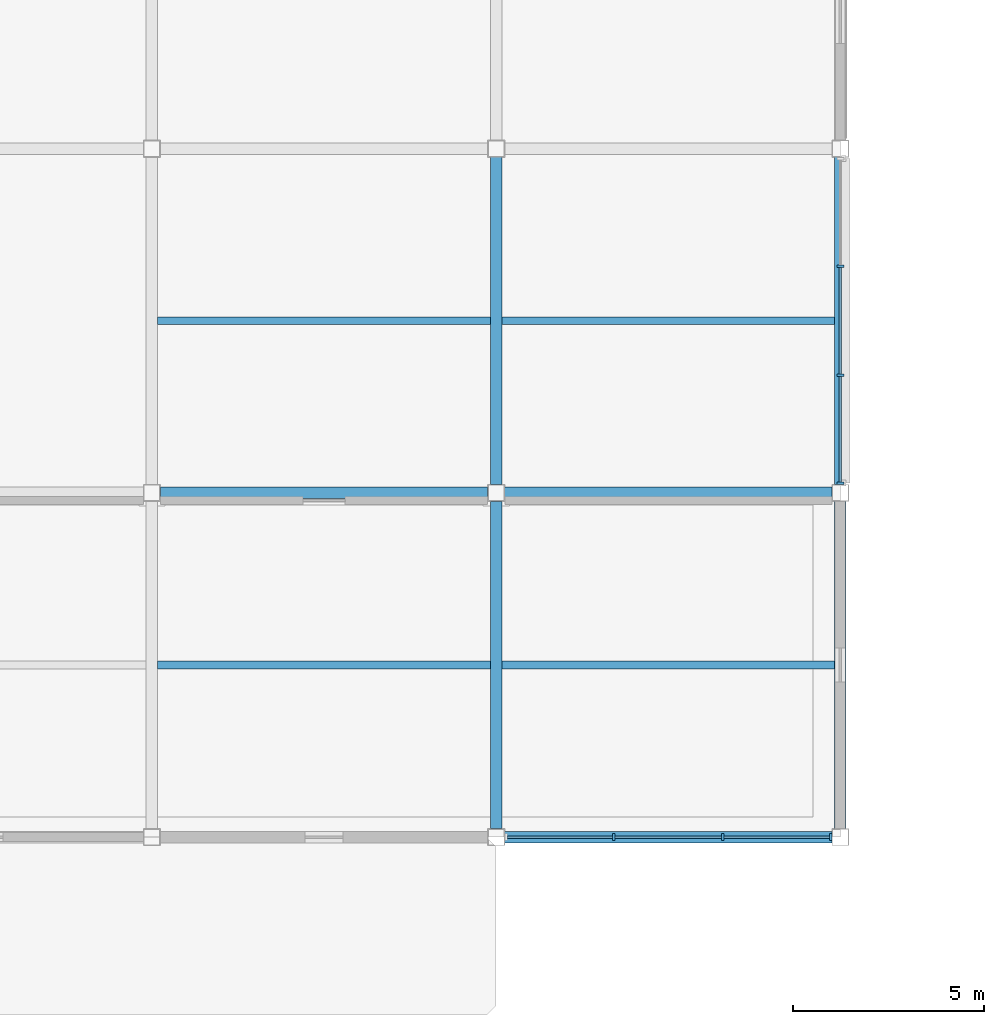
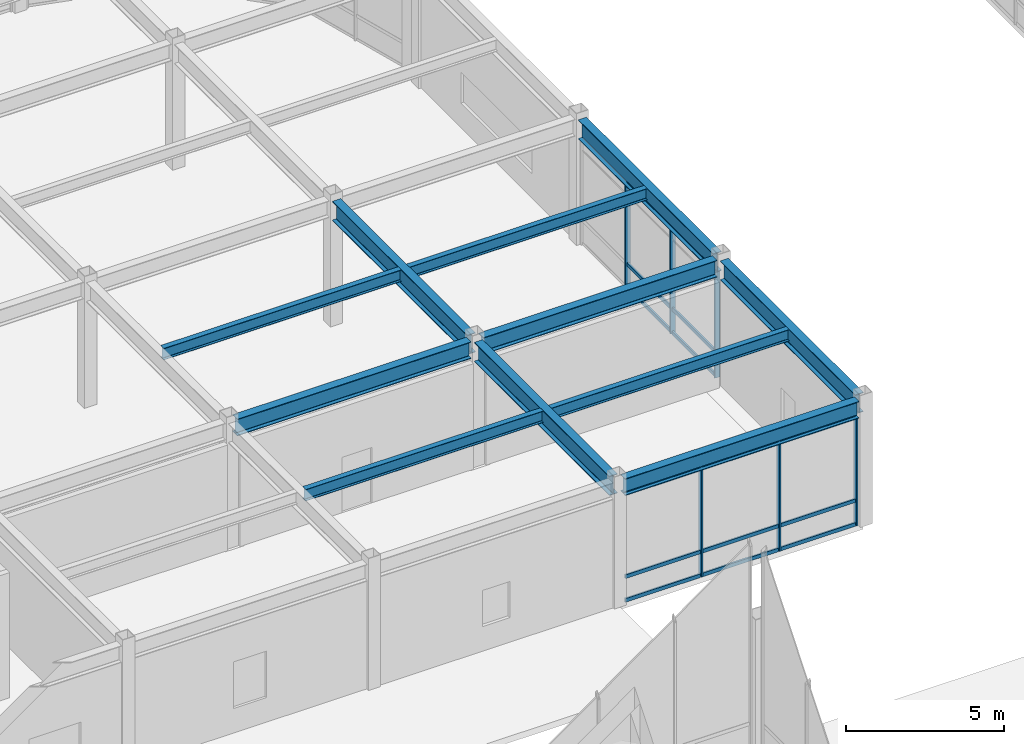
# One storey, part 50 of 123: 21 members, 11 beams, 2 elements without a shape of their own.
"""IFC4 building model written with IfcOpenShell, lengths in metres."""

import ifcopenshell
import ifcopenshell.guid

model = None  # the IFC model being written
_history = None  # IfcOwnerHistory: only IFC2X3 demands one
_inside = {}  # id of a spatial element -> (the spatial element, [elements in it])
_under = {}  # id of a project, library or spatial element -> (it, [spatial elements below it])
_declared = {}  # id of a project -> (the project, [libraries it declares])
_typed = {}  # id of a type object -> (the type object, [elements of that type])
_made_of = {}  # id of a material, layer set ... -> (it, [elements and type objects made of it])


def new_model(schema):
    """Start an empty IFC model of exactly this schema.

    Asked for "IFC4X3", IfcOpenShell would pick the latest addendum, in which some entities
    have other attributes; the version numbers below select the first issue.
    IFC2X3 requires an IfcOwnerHistory on every rooted entity: one is made here for all.
    """
    global model, _history
    if schema == "IFC4X3":
        model = ifcopenshell.file(schema_version=(4, 3, 0, 0))
    else:
        model = ifcopenshell.file(schema=schema)
    _inside.clear()
    _under.clear()
    _declared.clear()
    _typed.clear()
    _made_of.clear()
    _history = None
    if model.schema == "IFC2X3":
        org = make("IfcOrganization", Name="unknown")
        user = make(
            "IfcPersonAndOrganization",
            ThePerson=make("IfcPerson", FamilyName="unknown"),
            TheOrganization=org,
        )
        app = make(
            "IfcApplication",
            ApplicationDeveloper=org,
            Version="unknown",
            ApplicationFullName="unknown",
            ApplicationIdentifier="unknown",
        )
        _history = make(
            "IfcOwnerHistory",
            OwningUser=user,
            OwningApplication=app,
            ChangeAction="ADDED",
            CreationDate=0,
        )
    return model


def make(cls, **values):
    """One entity of the class cls with the attributes given. An attribute that is None is left unset."""
    return model.create_entity(
        cls, **{name: value for name, value in values.items() if value is not None}
    )


def rooted(cls, **values):
    """An entity with a GlobalId (a new one), such as an element, a storey or a relation."""
    return make(cls, GlobalId=ifcopenshell.guid.new(), OwnerHistory=_history, **values)


def si_unit(unit_type, name, prefix=None):
    """IfcSIUnit, for example si_unit("LENGTHUNIT", "METRE", prefix="MILLI")."""
    return make("IfcSIUnit", UnitType=unit_type, Prefix=prefix, Name=name)


def assignment(units):
    """IfcUnitAssignment: the units of a project."""
    return None if units is None else make("IfcUnitAssignment", Units=units)


def point(xyz):
    """IfcCartesianPoint."""
    return None if xyz is None else make("IfcCartesianPoint", Coordinates=xyz)


def direction(xyz):
    """IfcDirection."""
    return None if xyz is None else make("IfcDirection", DirectionRatios=xyz)


def frame(location, z_axis=None, x_axis=None):
    """IfcAxis2Placement3D, a coordinate frame: its origin and axes. An axis left out is left unset."""
    return make(
        "IfcAxis2Placement3D",
        Location=point(location),
        Axis=direction(z_axis),
        RefDirection=direction(x_axis),
    )


def frame_2d(location, x_axis=None):
    """IfcAxis2Placement2D, a coordinate frame in the plane: its origin and x axis."""
    return make(
        "IfcAxis2Placement2D", Location=point(location), RefDirection=direction(x_axis)
    )


def origin():
    """The frame at (0, 0, 0) with its axes left unset."""
    return frame((0.0, 0.0, 0.0))


def origin_2d():
    """The frame at (0, 0) in the plane with its x axis left unset."""
    return frame_2d((0.0, 0.0))


def place(relative_to, where):
    """IfcLocalPlacement: puts the frame where relative to a parent placement (None: the world)."""
    return make(
        "IfcLocalPlacement", PlacementRelTo=relative_to, RelativePlacement=where
    )


def context(
    kind, dimensions, precision=None, world=None, true_north=None, identifier=None
):
    """IfcGeometricRepresentationContext, for example the 3D "Model" context."""
    return make(
        "IfcGeometricRepresentationContext",
        ContextIdentifier=identifier,
        ContextType=kind,
        CoordinateSpaceDimension=dimensions,
        Precision=precision,
        WorldCoordinateSystem=world,
        TrueNorth=true_north,
    )


def subcontext(parent, identifier, kind, view, scale=None):
    """IfcGeometricRepresentationSubContext, for example "Body" below "Model"."""
    return make(
        "IfcGeometricRepresentationSubContext",
        ContextIdentifier=identifier,
        ContextType=kind,
        ParentContext=parent,
        TargetScale=scale,
        TargetView=view,
    )


def project(units=None, contexts=None):
    """IfcProject with its units and contexts."""
    return rooted(
        "IfcProject",
        Name="project",
        RepresentationContexts=contexts,
        UnitsInContext=assignment(units),
    )


def spatial(cls, under=None, at=None, **own):
    """A site, building, storey or space (cls), placed at a placement, below another one or the project."""
    s = rooted(cls, ObjectPlacement=at, **own)
    if under is not None:
        _under.setdefault(under.id(), (under, []))[1].append(s)
    return s


def profile(cls, at=None, kind="AREA", **sizes):
    """A parametric profile (cls). Its sizes go by their IFC names, for example OverallWidth=200.0."""
    return make(cls, ProfileType=kind, Position=at, **sizes)


def rectangle(**sizes):
    """IfcRectangleProfileDef."""
    return profile("IfcRectangleProfileDef", **sizes)


def i_section(**sizes):
    """IfcIShapeProfileDef."""
    return profile("IfcIShapeProfileDef", **sizes)


def extrude(swept, where, along, depth):
    """IfcExtrudedAreaSolid: the profile swept, set in the frame where, extruded along a direction by depth."""
    return make(
        "IfcExtrudedAreaSolid",
        SweptArea=swept,
        Position=where,
        ExtrudedDirection=direction(along),
        Depth=depth,
    )


def shape(context_of_items, identifier, shape_type, items):
    """IfcShapeRepresentation: the items that make up one representation, for example the "Body"."""
    return make(
        "IfcShapeRepresentation",
        ContextOfItems=context_of_items,
        RepresentationIdentifier=identifier,
        RepresentationType=shape_type,
        Items=items,
    )


def material(Name=None, Category=None):
    """IfcMaterial."""
    return make("IfcMaterial", Name=Name, Category=Category)


def material_profile(
    of_material, cross_section, Name=None, Category=None, Priority=None
):
    """IfcMaterialProfile: a cross section and its material."""
    return make(
        "IfcMaterialProfile",
        Name=Name,
        Material=of_material,
        Profile=cross_section,
        Priority=Priority,
        Category=Category,
    )


def profile_set(profiles, Name=None, composite=None):
    """IfcMaterialProfileSet."""
    return make(
        "IfcMaterialProfileSet",
        Name=Name,
        MaterialProfiles=profiles,
        CompositeProfile=composite,
    )


def made_of(thing, what):
    """Note that an element or type object is made of a material, layer set ...; save() writes the relation."""
    if what is not None:
        _made_of.setdefault(what.id(), (what, []))[1].append(thing)
    return thing


def type_object(cls, material=None, **own):
    """A type object (cls), such as IfcWallType, which elements share."""
    return made_of(rooted(cls, **own), material)


def element(
    cls,
    number,
    at=None,
    inside=None,
    cuts=None,
    type_object=None,
    material=None,
    context=None,
    identifier="Body",
    shape_type=None,
    held_by="IfcProductDefinitionShape",
    body=None,
    shapes=None,
    **own,
):
    """One element of the class cls, such as IfcWall. Its Tag is "e" and its number.

    at: its placement. inside: the storey or other place that contains it. cuts: it is an
    opening in that element (IfcRelVoidsElement). A single representation is given by context,
    identifier, shape_type and body (its items); several are given by shapes. held_by: the class
    of the entity that holds the representations. save() writes the other relations.
    """
    e = rooted(cls, Tag="e%d" % number, ObjectPlacement=at, **own)
    if body is not None:
        shapes = [shape(context, identifier, shape_type, body)]
    if shapes is not None:
        e.Representation = make(held_by, Representations=shapes)
    if inside is not None:
        _inside.setdefault(inside.id(), (inside, []))[1].append(e)
    if cuts is not None:
        rooted(
            "IfcRelVoidsElement", RelatingBuildingElement=cuts, RelatedOpeningElement=e
        )
    if type_object is not None:
        _typed.setdefault(type_object.id(), (type_object, []))[1].append(e)
    return made_of(e, material)


def aggregate(whole, parts):
    """IfcRelAggregates: a whole, such as a stair, and the parts it consists of."""
    return rooted("IfcRelAggregates", RelatingObject=whole, RelatedObjects=parts)


def save(model, path):
    """Write the relations noted so far, then the file.

    IfcRelAggregates (storeys below a building ...), IfcRelContainedInSpatialStructure (elements
    in a storey), IfcRelDefinesByType, IfcRelAssociatesMaterial and IfcRelDeclares: one each for
    every whole, place, type object, material and project.
    """
    for whole, parts in _under.values():
        aggregate(whole, parts)
    for where, things in _inside.values():
        rooted(
            "IfcRelContainedInSpatialStructure",
            RelatedElements=things,
            RelatingStructure=where,
        )
    for kind, things in _typed.values():
        rooted("IfcRelDefinesByType", RelatedObjects=things, RelatingType=kind)
    for what, things in _made_of.values():
        rooted("IfcRelAssociatesMaterial", RelatedObjects=things, RelatingMaterial=what)
    for by, libraries in _declared.values():
        rooted("IfcRelDeclares", RelatingContext=by, RelatedDefinitions=libraries)
    model.write(path)


model = new_model("IFC4")

# Units and contexts
model_context = context("Model", 3, precision=1e-05, world=origin(), true_north=direction((0.0, 1.0)))
body_context = subcontext(model_context, "Body", "Model", "MODEL_VIEW")
ifc_project = project(units=[si_unit("LENGTHUNIT", "METRE"), si_unit("AREAUNIT", "SQUARE_METRE"), si_unit("VOLUMEUNIT", "CUBIC_METRE"), si_unit("PLANEANGLEUNIT", "RADIAN"), si_unit("MASSUNIT", "GRAM", prefix="KILO")], contexts=[model_context])

# Site, building, storey
site_placement = place(None, origin())
site = spatial("IfcSite", under=ifc_project, at=site_placement, CompositionType="ELEMENT")
building_placement = place(site_placement, origin())
building = spatial("IfcBuilding", under=site, at=building_placement, Name="Suzunagisa Mobility Hub", CompositionType="ELEMENT")
storey_placement = place(building_placement, origin())
storey = spatial("IfcBuildingStorey", under=building, at=storey_placement, Name="L00", CompositionType="ELEMENT", Elevation=0.0)

# Curtain wall, members
ifc_material_1 = material(Name="Thermally Broken Anodized Aluminum and Low-E Glazing", Category="aluminium")
curtain_wall_type_1 = type_object("IfcCurtainWallType", Name="Unitised Curtain Wall CW-32 8500x4200", PredefinedType="USERDEFINED", material=ifc_material_1)
curtain_wall_1_placement = place(storey_placement, origin())
curtain_wall_1 = element("IfcCurtainWall", 1, at=curtain_wall_1_placement, inside=storey, type_object=curtain_wall_type_1, Name="L00 Unitised Curtain Wall CW-92", ObjectType="UNITISED CURTAIN WALL", PredefinedType="USERDEFINED")
ifc_material_2 = material(Name="Anodized Aluminum 6063-T6", Category="aluminium")
ifc_material_profile_1 = material_profile(ifc_material_2, rectangle(XDim=0.06494140625, YDim=0.139892578125, at=origin_2d()), Name="TRAN-65x140")
ifc_profile_set_1 = profile_set([ifc_material_profile_1], Name="Anodized Aluminum 6063-T6")
member_type_1 = type_object("IfcMemberType", Name="Curtain Wall Framing CM-01 TRAN-65x140", PredefinedType="USERDEFINED", material=ifc_profile_set_1)
member_1_placement = place(storey_placement, frame((117.2880859375, 80.0, 0.032470703125), z_axis=(1.0, 0.0, 0.0), x_axis=(0.0, 1.0, 0.0)))
member_1 = element("IfcMember", 2, at=member_1_placement, type_object=member_type_1, Name="Curtain Wall Transom 92-T1.1", ObjectType="TRANSOM", PredefinedType="USERDEFINED", context=body_context, shape_type="SweptSolid", body=[
    extrude(rectangle(XDim=0.06494140625, YDim=0.139892578125, at=origin_2d()), origin(), (0.0, 0.0, 1.0), 2.75634765625),
])
member_2_placement = place(storey_placement, frame((117.2880859375, 80.0, 0.949951171875), z_axis=(1.0, 0.0, 0.0), x_axis=(0.0, 1.0, 0.0)))
member_2 = element("IfcMember", 3, at=member_2_placement, type_object=member_type_1, Name="Curtain Wall Transom 92-T1.2", ObjectType="TRANSOM", PredefinedType="USERDEFINED", context=body_context, shape_type="SweptSolid", body=[
    extrude(rectangle(XDim=0.06494140625, YDim=0.139892578125, at=origin_2d()), origin(), (0.0, 0.0, 1.0), 2.75634765625),
])
member_3_placement = place(storey_placement, frame((117.2880859375, 80.0, 4.157470703125), z_axis=(1.0, 0.0, 0.0), x_axis=(0.0, 1.0, 0.0)))
member_3 = element("IfcMember", 4, at=member_3_placement, type_object=member_type_1, Name="Curtain Wall Transom 92-T1.3", ObjectType="TRANSOM", PredefinedType="USERDEFINED", context=body_context, shape_type="SweptSolid", body=[
    extrude(rectangle(XDim=0.06494140625, YDim=0.139892578125, at=origin_2d()), origin(), (0.0, 0.0, 1.0), 2.75634765625),
])
member_4_placement = place(storey_placement, frame((120.10546875, 80.0, 0.032470703125), z_axis=(1.0, 0.0, 0.0), x_axis=(0.0, 1.0, 0.0)))
member_4 = element("IfcMember", 5, at=member_4_placement, type_object=member_type_1, Name="Curtain Wall Transom 92-T2.1", ObjectType="TRANSOM", PredefinedType="USERDEFINED", context=body_context, shape_type="SweptSolid", body=[
    extrude(rectangle(XDim=0.06494140625, YDim=0.139892578125, at=origin_2d()), origin(), (0.0, 0.0, 1.0), 2.7890625),
])
member_5_placement = place(storey_placement, frame((120.10546875, 80.0, 0.949951171875), z_axis=(1.0, 0.0, 0.0), x_axis=(0.0, 1.0, 0.0)))
member_5 = element("IfcMember", 6, at=member_5_placement, type_object=member_type_1, Name="Curtain Wall Transom 92-T2.2", ObjectType="TRANSOM", PredefinedType="USERDEFINED", context=body_context, shape_type="SweptSolid", body=[
    extrude(rectangle(XDim=0.06494140625, YDim=0.139892578125, at=origin_2d()), origin(), (0.0, 0.0, 1.0), 2.7890625),
])
member_6_placement = place(storey_placement, frame((120.10546875, 80.0, 4.157470703125), z_axis=(1.0, 0.0, 0.0), x_axis=(0.0, 1.0, 0.0)))
member_6 = element("IfcMember", 7, at=member_6_placement, type_object=member_type_1, Name="Curtain Wall Transom 92-T2.3", ObjectType="TRANSOM", PredefinedType="USERDEFINED", context=body_context, shape_type="SweptSolid", body=[
    extrude(rectangle(XDim=0.06494140625, YDim=0.139892578125, at=origin_2d()), origin(), (0.0, 0.0, 1.0), 2.7890625),
])
member_7_placement = place(storey_placement, frame((122.95556640625, 80.0, 0.032470703125), z_axis=(1.0, 0.0, 0.0), x_axis=(0.0, 1.0, 0.0)))
member_7 = element("IfcMember", 8, at=member_7_placement, type_object=member_type_1, Name="Curtain Wall Transom 92-T3.1", ObjectType="TRANSOM", PredefinedType="USERDEFINED", context=body_context, shape_type="SweptSolid", body=[
    extrude(rectangle(XDim=0.06494140625, YDim=0.139892578125, at=origin_2d()), origin(), (0.0, 0.0, 1.0), 2.75634765625),
])
member_8_placement = place(storey_placement, frame((122.95556640625, 80.0, 0.949951171875), z_axis=(1.0, 0.0, 0.0), x_axis=(0.0, 1.0, 0.0)))
member_8 = element("IfcMember", 9, at=member_8_placement, type_object=member_type_1, Name="Curtain Wall Transom 92-T3.2", ObjectType="TRANSOM", PredefinedType="USERDEFINED", context=body_context, shape_type="SweptSolid", body=[
    extrude(rectangle(XDim=0.06494140625, YDim=0.139892578125, at=origin_2d()), origin(), (0.0, 0.0, 1.0), 2.75634765625),
])
member_9_placement = place(storey_placement, frame((122.95556640625, 80.0, 4.157470703125), z_axis=(1.0, 0.0, 0.0), x_axis=(0.0, 1.0, 0.0)))
member_9 = element("IfcMember", 10, at=member_9_placement, type_object=member_type_1, Name="Curtain Wall Transom 92-T3.3", ObjectType="TRANSOM", PredefinedType="USERDEFINED", context=body_context, shape_type="SweptSolid", body=[
    extrude(rectangle(XDim=0.06494140625, YDim=0.139892578125, at=origin_2d()), origin(), (0.0, 0.0, 1.0), 2.75634765625),
])

curtain_wall_type_2 = type_object("IfcCurtainWallType", Name="Unitised Curtain Wall CW-09 8500x4100", PredefinedType="USERDEFINED", material=ifc_material_1)
curtain_wall_2_placement = place(storey_placement, origin())
curtain_wall_2 = element("IfcCurtainWall", 11, at=curtain_wall_2_placement, inside=storey, type_object=curtain_wall_type_2, Name="L00 Unitised Curtain Wall CW-93", ObjectType="UNITISED CURTAIN WALL", PredefinedType="USERDEFINED")
member_10_placement = place(storey_placement, frame((126.0, 89.2880859375, 0.032470703125), z_axis=(0.0, 1.0, 0.0), x_axis=(-1.0, 0.0, 0.0)))
member_10 = element("IfcMember", 12, at=member_10_placement, type_object=member_type_1, Name="Curtain Wall Transom 93-T1.1", ObjectType="TRANSOM", PredefinedType="USERDEFINED", context=body_context, shape_type="SweptSolid", body=[
    extrude(rectangle(XDim=0.06494140625, YDim=0.139892578125, at=origin_2d()), origin(), (0.0, 0.0, 1.0), 2.75634765625),
])
member_11_placement = place(storey_placement, frame((126.0, 89.2880859375, 0.949951171875), z_axis=(0.0, 1.0, 0.0), x_axis=(-1.0, 0.0, 0.0)))
member_11 = element("IfcMember", 13, at=member_11_placement, type_object=member_type_1, Name="Curtain Wall Transom 93-T1.2", ObjectType="TRANSOM", PredefinedType="USERDEFINED", context=body_context, shape_type="SweptSolid", body=[
    extrude(rectangle(XDim=0.06494140625, YDim=0.139892578125, at=origin_2d()), origin(), (0.0, 0.0, 1.0), 2.75634765625),
])
member_12_placement = place(storey_placement, frame((126.0, 89.2880859375, 4.0576171875), z_axis=(0.0, 1.0, 0.0), x_axis=(-1.0, 0.0, 0.0)))
member_12 = element("IfcMember", 14, at=member_12_placement, type_object=member_type_1, Name="Curtain Wall Transom 93-T1.3", ObjectType="TRANSOM", PredefinedType="USERDEFINED", context=body_context, shape_type="SweptSolid", body=[
    extrude(rectangle(XDim=0.06494140625, YDim=0.139892578125, at=origin_2d()), origin(), (0.0, 0.0, 1.0), 2.75634765625),
])
member_13_placement = place(storey_placement, frame((126.0, 92.10546875, 0.032470703125), z_axis=(0.0, 1.0, 0.0), x_axis=(-1.0, 0.0, 0.0)))
member_13 = element("IfcMember", 15, at=member_13_placement, type_object=member_type_1, Name="Curtain Wall Transom 93-T2.1", ObjectType="TRANSOM", PredefinedType="USERDEFINED", context=body_context, shape_type="SweptSolid", body=[
    extrude(rectangle(XDim=0.06494140625, YDim=0.139892578125, at=origin_2d()), origin(), (0.0, 0.0, 1.0), 2.7890625),
])
member_14_placement = place(storey_placement, frame((126.0, 92.10546875, 0.949951171875), z_axis=(0.0, 1.0, 0.0), x_axis=(-1.0, 0.0, 0.0)))
member_14 = element("IfcMember", 16, at=member_14_placement, type_object=member_type_1, Name="Curtain Wall Transom 93-T2.2", ObjectType="TRANSOM", PredefinedType="USERDEFINED", context=body_context, shape_type="SweptSolid", body=[
    extrude(rectangle(XDim=0.06494140625, YDim=0.139892578125, at=origin_2d()), origin(), (0.0, 0.0, 1.0), 2.7890625),
])
member_15_placement = place(storey_placement, frame((126.0, 92.10546875, 4.0576171875), z_axis=(0.0, 1.0, 0.0), x_axis=(-1.0, 0.0, 0.0)))
member_15 = element("IfcMember", 17, at=member_15_placement, type_object=member_type_1, Name="Curtain Wall Transom 93-T2.3", ObjectType="TRANSOM", PredefinedType="USERDEFINED", context=body_context, shape_type="SweptSolid", body=[
    extrude(rectangle(XDim=0.06494140625, YDim=0.139892578125, at=origin_2d()), origin(), (0.0, 0.0, 1.0), 2.7890625),
])

# Member
ifc_material_profile_2 = material_profile(ifc_material_2, rectangle(XDim=0.06494140625, YDim=0.179931640625, at=origin_2d()), Name="MULL-65x180")
ifc_profile_set_2 = profile_set([ifc_material_profile_2], Name="Anodized Aluminum 6063-T6")
member_type_2 = type_object("IfcMemberType", Name="Curtain Wall Framing CM-04 MULL-65x180", PredefinedType="MULLION", material=ifc_profile_set_2)
member_16_placement = place(storey_placement, frame((120.074951171875, 80.0, 0.0), z_axis=(0.0, 0.0, 1.0), x_axis=(1.0, 0.0, 0.0)))
member_16 = element("IfcMember", 18, at=member_16_placement, type_object=member_type_2, Name="Curtain Wall Mullion 92-M2", PredefinedType="MULLION", context=body_context, shape_type="SweptSolid", body=[
    extrude(rectangle(XDim=0.06494140625, YDim=0.179931640625, at=origin_2d()), origin(), (0.0, 0.0, 1.0), 4.18994140625),
])

member_17_placement = place(storey_placement, frame((122.925048828125, 80.0, 0.0), z_axis=(0.0, 0.0, 1.0), x_axis=(1.0, 0.0, 0.0)))
member_17 = element("IfcMember", 19, at=member_17_placement, type_object=member_type_2, Name="Curtain Wall Mullion 92-M3", PredefinedType="MULLION", context=body_context, shape_type="SweptSolid", body=[
    extrude(rectangle(XDim=0.06494140625, YDim=0.179931640625, at=origin_2d()), origin(), (0.0, 0.0, 1.0), 4.18994140625),
])

member_18_placement = place(storey_placement, frame((125.742431640625, 80.0, 0.0), z_axis=(0.0, 0.0, 1.0), x_axis=(1.0, 0.0, 0.0)))
member_18 = element("IfcMember", 20, at=member_18_placement, type_object=member_type_2, Name="Curtain Wall Mullion 92-M4", PredefinedType="MULLION", context=body_context, shape_type="SweptSolid", body=[
    extrude(rectangle(XDim=0.06494140625, YDim=0.179931640625, at=origin_2d()), origin(), (0.0, 0.0, 1.0), 4.18994140625),
])

aggregate(curtain_wall_1, [member_16, member_17, member_18, member_1, member_2, member_3, member_4, member_5, member_6, member_7, member_8, member_9])

member_19_placement = place(storey_placement, frame((126.0, 89.257568359375, 0.0), z_axis=(0.0, 0.0, 1.0), x_axis=(0.0, 1.0, 0.0)))
member_19 = element("IfcMember", 21, at=member_19_placement, type_object=member_type_2, Name="Curtain Wall Mullion 93-M1", PredefinedType="MULLION", context=body_context, shape_type="SweptSolid", body=[
    extrude(rectangle(XDim=0.06494140625, YDim=0.179931640625, at=origin_2d()), origin(), (0.0, 0.0, 1.0), 4.090087890625),
])

member_20_placement = place(storey_placement, frame((126.0, 92.074951171875, 0.0), z_axis=(0.0, 0.0, 1.0), x_axis=(0.0, 1.0, 0.0)))
member_20 = element("IfcMember", 22, at=member_20_placement, type_object=member_type_2, Name="Curtain Wall Mullion 93-M2", PredefinedType="MULLION", context=body_context, shape_type="SweptSolid", body=[
    extrude(rectangle(XDim=0.06494140625, YDim=0.179931640625, at=origin_2d()), origin(), (0.0, 0.0, 1.0), 4.090087890625),
])

member_21_placement = place(storey_placement, frame((126.0, 94.925048828125, 0.0), z_axis=(0.0, 0.0, 1.0), x_axis=(0.0, 1.0, 0.0)))
member_21 = element("IfcMember", 23, at=member_21_placement, type_object=member_type_2, Name="Curtain Wall Mullion 93-M3", PredefinedType="MULLION", context=body_context, shape_type="SweptSolid", body=[
    extrude(rectangle(XDim=0.06494140625, YDim=0.179931640625, at=origin_2d()), origin(), (0.0, 0.0, 1.0), 4.090087890625),
])

aggregate(curtain_wall_2, [member_19, member_20, member_21, member_10, member_11, member_12, member_13, member_14, member_15])

# Beams
ifc_material_3 = material(Name="Steel SN400B", Category="steel")
ifc_material_profile_3 = material_profile(ifc_material_3, i_section(OverallWidth=0.199951171875, OverallDepth=0.449951171875, WebThickness=0.009033203125, FlangeThickness=0.013916015625, FilletRadius=0.012939453125, at=origin_2d()), Name="H-450x200x9x14")
ifc_profile_set_3 = profile_set([ifc_material_profile_3], Name="Steel SN400B")
beam_type_1 = type_object("IfcBeamType", Name="Steel Beam BM-05 H-450x200x9x14", PredefinedType="JOIST", material=ifc_profile_set_3)
for number, where, z_axis, x_axis, name in (
    (24, (108.14990234375, 84.5, 4.614990234375), (1.0, 0.0, 0.0), (0.0, 1.0, 0.0), "L00 Composite Floor Joist J-795"),
    (25, (108.14990234375, 93.5, 4.614990234375), (1.0, 0.0, 0.0), (0.0, 1.0, 0.0), "L00 Composite Floor Joist J-796"),
    (26, (117.14990234375, 84.5, 4.614990234375), (1.0, 0.0, 0.0), (0.0, 1.0, 0.0), "L00 Composite Floor Joist J-799"),
    (27, (117.14990234375, 93.5, 4.614990234375), (1.0, 0.0, 0.0), (0.0, 1.0, 0.0), "L00 Composite Floor Joist J-800"),
):
    element("IfcBeam", number, at=place(storey_placement, frame(where, z_axis=z_axis, x_axis=x_axis)), inside=storey, type_object=beam_type_1, Name=name, PredefinedType="JOIST", context=body_context, shape_type="SweptSolid", body=[
        extrude(i_section(OverallWidth=0.199951171875, OverallDepth=0.449951171875, WebThickness=0.009033203125, FlangeThickness=0.013916015625, FilletRadius=0.012939453125, at=origin_2d()), origin(), (0.0, 0.0, 1.0), 8.7001953125),
    ])
ifc_material_4 = material(Name="Steel SN490B", Category="steel")
ifc_material_profile_4 = material_profile(ifc_material_4, i_section(OverallWidth=0.300048828125, OverallDepth=0.64990234375, WebThickness=0.012939453125, FlangeThickness=0.02197265625, FilletRadius=0.01611328125, at=origin_2d()), Name="H-650x300x13x22")
ifc_profile_set_4 = profile_set([ifc_material_profile_4], Name="Steel SN490B")
beam_type_2 = type_object("IfcBeamType", Name="Steel Beam BM-10 H-650x300x13x22", PredefinedType="BEAM", material=ifc_profile_set_4)
for number, where, z_axis, x_axis, name in (
    (28, (117.220947265625, 80.0, 4.514892578125), (1.0, 0.0, 0.0), (0.0, 1.0, 0.0), "L00 Primary Girder GX-710"),
    (29, (108.220947265625, 89.0, 4.514892578125), (1.0, 0.0, 0.0), (0.0, 1.0, 0.0), "L00 Primary Girder GX-718"),
    (30, (117.220947265625, 89.0, 4.514892578125), (1.0, 0.0, 0.0), (0.0, 1.0, 0.0), "L00 Primary Girder GX-719"),
):
    element("IfcBeam", number, at=place(storey_placement, frame(where, z_axis=z_axis, x_axis=x_axis)), inside=storey, type_object=beam_type_2, Name=name, PredefinedType="BEAM", context=body_context, shape_type="SweptSolid", body=[
        extrude(i_section(OverallWidth=0.300048828125, OverallDepth=0.64990234375, WebThickness=0.012939453125, FlangeThickness=0.02197265625, FilletRadius=0.01611328125, at=origin_2d()), origin(), (0.0, 0.0, 1.0), 8.55810546875),
    ])
ifc_material_profile_5 = material_profile(ifc_material_4, i_section(OverallWidth=0.300048828125, OverallDepth=0.75, WebThickness=0.013916015625, FlangeThickness=0.02587890625, FilletRadius=0.01806640625, at=origin_2d()), Name="H-750x300x14x26")
ifc_profile_set_5 = profile_set([ifc_material_profile_5], Name="Steel SN490B")
beam_type_3 = type_object("IfcBeamType", Name="Steel Beam BM-15 H-750x300x14x26", PredefinedType="BEAM", material=ifc_profile_set_5)
for number, where, z_axis, x_axis, name in (
    (31, (117.0, 80.220947265625, 4.465087890625), (0.0, 1.0, 0.0), (-1.0, 0.0, 0.0), "L00 Primary Girder GY-771"),
    (32, (117.0, 89.220947265625, 4.465087890625), (0.0, 1.0, 0.0), (-1.0, 0.0, 0.0), "L00 Primary Girder GY-772"),
    (33, (126.0, 80.220947265625, 4.465087890625), (0.0, 1.0, 0.0), (-1.0, 0.0, 0.0), "L00 Primary Girder GY-775"),
    (34, (126.0, 89.220947265625, 4.465087890625), (0.0, 1.0, 0.0), (-1.0, 0.0, 0.0), "L00 Primary Girder GY-776"),
):
    element("IfcBeam", number, at=place(storey_placement, frame(where, z_axis=z_axis, x_axis=x_axis)), inside=storey, type_object=beam_type_3, Name=name, PredefinedType="BEAM", context=body_context, shape_type="SweptSolid", body=[
        extrude(i_section(OverallWidth=0.300048828125, OverallDepth=0.75, WebThickness=0.013916015625, FlangeThickness=0.02587890625, FilletRadius=0.01806640625, at=origin_2d()), origin(), (0.0, 0.0, 1.0), 8.55810546875),
    ])

save(model, "model.ifc")
